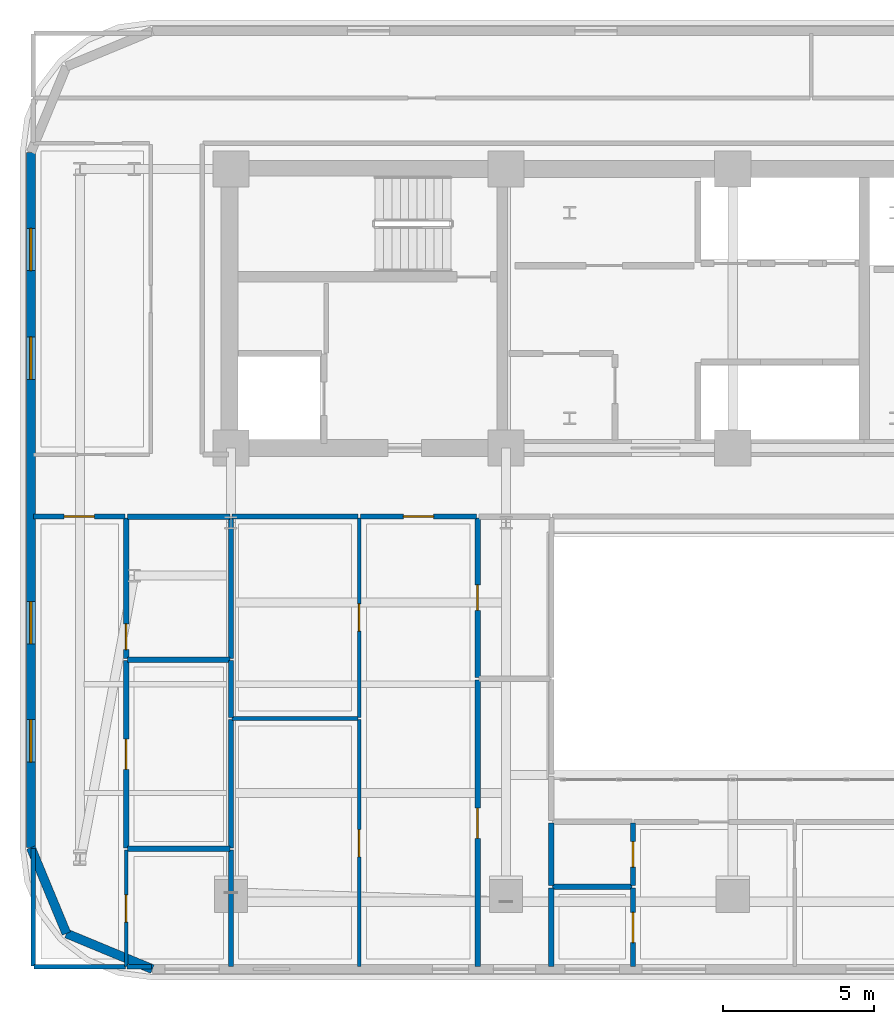
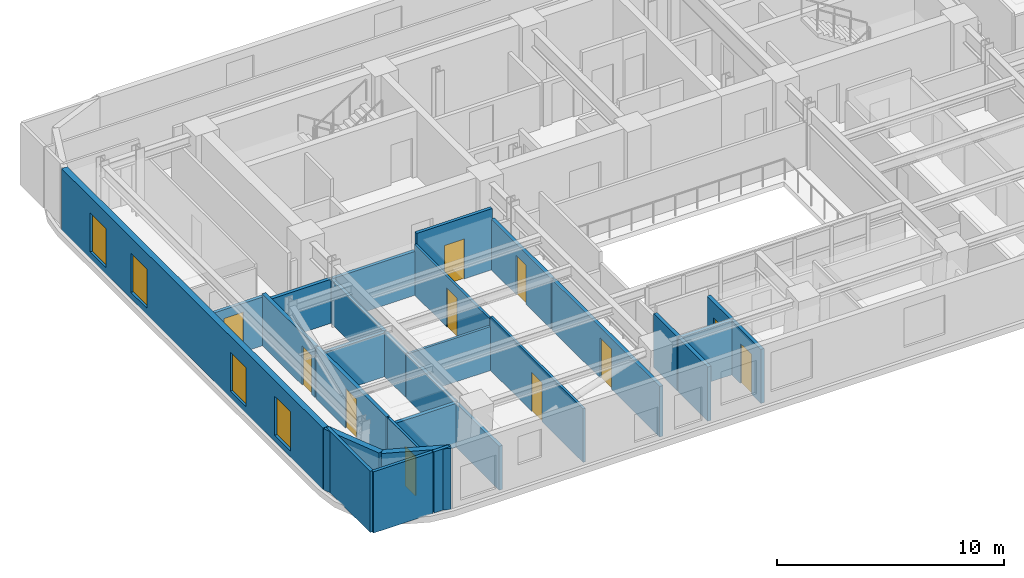
# One storey, part 5 of 12: 29 walls, 11 doors, 4 windows, 15 openings.
"""IFC4 building model written with IfcOpenShell, lengths in metres."""

from ifc_helpers import new_model, si_unit, direction, frame, frame_2d, origin, place, context, subcontext, project, spatial, rectangle, extrude, material, layer, layer_set, type_object, element, fill, save


model = new_model("IFC4")

# Units and contexts
model_context = context("Model", 3, precision=1e-05, world=origin(), true_north=direction((0.0, 1.0)))
body_context = subcontext(model_context, "Body", "Model", "MODEL_VIEW")
ifc_project = project(units=[si_unit("LENGTHUNIT", "METRE"), si_unit("AREAUNIT", "SQUARE_METRE"), si_unit("VOLUMEUNIT", "CUBIC_METRE"), si_unit("PLANEANGLEUNIT", "RADIAN"), si_unit("MASSUNIT", "GRAM", prefix="KILO")], contexts=[model_context])

# Site, building, storey
site_placement = place(None, origin())
site = spatial("IfcSite", under=ifc_project, at=site_placement, CompositionType="ELEMENT")
building_placement = place(site_placement, origin())
building = spatial("IfcBuilding", under=site, at=building_placement, Name="Zarnavel Station Tower", CompositionType="ELEMENT")
storey_placement = place(building_placement, frame((0.0, 0.0, 144.800048828125)))
storey = spatial("IfcBuildingStorey", under=building, at=storey_placement, Name="L39", CompositionType="ELEMENT", Elevation=144.800048828125)

# Wall, openings, windows
ifc_material_1 = material(Name="Precast concrete C45/55 (Dark Basalt Finish)", Category="masonry")
ifc_layer_1 = layer(ifc_material_1, 0.300048828125)
ifc_layer_set_1 = layer_set([ifc_layer_1], Name="EW_BASALT_300")
wall_type_1 = type_object("IfcWallType", Name="EW_BASALT_300", PredefinedType="SOLIDWALL", material=ifc_layer_set_1)
wall_1_placement = place(storey_placement, frame((5.580078125, 14.60009765625, 0.0), z_axis=(0.0, 0.0, 1.0), x_axis=(0.0, 1.0, 0.0)))
wall_1 = element("IfcWall", 1, at=wall_1_placement, inside=storey, type_object=wall_type_1, Name="L39 Exterior Basalt Masonry Frame Wall 09", PredefinedType="SOLIDWALL", context=body_context, shape_type="SweptSolid", body=[
    extrude(rectangle(XDim=23.0, YDim=0.300048828125, at=frame_2d((11.5, 0.0))), origin(), (0.0, 0.0, 1.0), 3.2900390625),
])
opening_1_placement = place(wall_1_placement, frame((15.493408203125, 0.0, 0.340087890625)))
opening_1 = element("IfcOpeningElement", 2, at=opening_1_placement, cuts=wall_1, Name="Opening WN04", PredefinedType="OPENING", context=body_context, shape_type="SweptSolid", body=[
    extrude(rectangle(XDim=1.39990234375, YDim=2.10009765625, at=frame_2d((0.699951171875, 1.050048828125))), frame((0.0, 0.159912109375, 0.0), z_axis=(0.0, -1.0, 0.0), x_axis=(1.0, 0.0, 0.0)), (0.0, 0.0, 1.0), 0.320068359375),
])
opening_2_placement = place(wall_1_placement, frame((19.086669921875, 0.0, 0.340087890625)))
opening_2 = element("IfcOpeningElement", 3, at=opening_2_placement, cuts=wall_1, Name="Opening WN04", PredefinedType="OPENING", context=body_context, shape_type="SweptSolid", body=[
    extrude(rectangle(XDim=1.39990234375, YDim=2.10009765625, at=frame_2d((0.699951171875, 1.050048828125))), frame((0.0, 0.159912109375, 0.0), z_axis=(0.0, -1.0, 0.0), x_axis=(1.0, 0.0, 0.0)), (0.0, 0.0, 1.0), 0.320068359375),
])
opening_3_placement = place(wall_1_placement, frame((2.830078125, 0.0, 0.340087890625)))
opening_3 = element("IfcOpeningElement", 4, at=opening_3_placement, cuts=wall_1, Name="Opening WN04", PredefinedType="OPENING", context=body_context, shape_type="SweptSolid", body=[
    extrude(rectangle(XDim=1.39990234375, YDim=2.10009765625, at=frame_2d((0.699951171875, 1.050048828125))), frame((0.0, 0.159912109375, 0.0), z_axis=(0.0, -1.0, 0.0), x_axis=(1.0, 0.0, 0.0)), (0.0, 0.0, 1.0), 0.320068359375),
])
opening_4_placement = place(wall_1_placement, frame((6.739990234375, 0.0, 0.340087890625)))
opening_4 = element("IfcOpeningElement", 5, at=opening_4_placement, cuts=wall_1, Name="Opening WN04", PredefinedType="OPENING", context=body_context, shape_type="SweptSolid", body=[
    extrude(rectangle(XDim=1.39990234375, YDim=2.10009765625, at=frame_2d((0.699951171875, 1.050048828125))), frame((0.0, 0.159912109375, 0.0), z_axis=(0.0, -1.0, 0.0), x_axis=(1.0, 0.0, 0.0)), (0.0, 0.0, 1.0), 0.320068359375),
])
ifc_material_2 = material(Name="Thermally Broken Black Aluminium and Low-E Dark Glass", Category="aluminium")
window_type = type_object("IfcWindowType", Name="WN_1400x2100", PartitioningType="DOUBLE_PANEL_VERTICAL", PredefinedType="WINDOW", material=ifc_material_2)
window_1_placement = place(opening_1_placement, origin())
window_1 = element("IfcWindow", 6, at=window_1_placement, inside=storey, type_object=window_type, Name="L39 Recessed Facade Window 01", OverallHeight=2.10009765625, OverallWidth=1.39990234375, PartitioningType="SINGLE_PANEL", PredefinedType="WINDOW", context=body_context, shape_type="SweptSolid", body=[
    extrude(rectangle(XDim=1.39990234375, YDim=2.10009765625, at=frame_2d((0.699951171875, 1.050048828125))), frame((0.0, 0.030029296875, 0.0), z_axis=(0.0, -1.0, 0.0), x_axis=(1.0, 0.0, 0.0)), (0.0, 0.0, 1.0), 0.06005859375),
])
fill(opening_1, window_1)
window_2_placement = place(opening_2_placement, origin())
window_2 = element("IfcWindow", 7, at=window_2_placement, inside=storey, type_object=window_type, Name="L39 Recessed Facade Window 02", OverallHeight=2.10009765625, OverallWidth=1.39990234375, PartitioningType="SINGLE_PANEL", PredefinedType="WINDOW", context=body_context, shape_type="SweptSolid", body=[
    extrude(rectangle(XDim=1.39990234375, YDim=2.10009765625, at=frame_2d((0.699951171875, 1.050048828125))), frame((0.0, 0.030029296875, 0.0), z_axis=(0.0, -1.0, 0.0), x_axis=(1.0, 0.0, 0.0)), (0.0, 0.0, 1.0), 0.06005859375),
])
fill(opening_2, window_2)
window_3_placement = place(opening_3_placement, origin())
window_3 = element("IfcWindow", 8, at=window_3_placement, inside=storey, type_object=window_type, Name="L39 Recessed Facade Window 03", OverallHeight=2.10009765625, OverallWidth=1.39990234375, PartitioningType="SINGLE_PANEL", PredefinedType="WINDOW", context=body_context, shape_type="SweptSolid", body=[
    extrude(rectangle(XDim=1.39990234375, YDim=2.10009765625, at=frame_2d((0.699951171875, 1.050048828125))), frame((0.0, 0.030029296875, 0.0), z_axis=(0.0, -1.0, 0.0), x_axis=(1.0, 0.0, 0.0)), (0.0, 0.0, 1.0), 0.06005859375),
])
fill(opening_3, window_3)
window_4_placement = place(opening_4_placement, origin())
window_4 = element("IfcWindow", 9, at=window_4_placement, inside=storey, type_object=window_type, Name="L39 Recessed Facade Window 04", OverallHeight=2.10009765625, OverallWidth=1.39990234375, PartitioningType="SINGLE_PANEL", PredefinedType="WINDOW", context=body_context, shape_type="SweptSolid", body=[
    extrude(rectangle(XDim=1.39990234375, YDim=2.10009765625, at=frame_2d((0.699951171875, 1.050048828125))), frame((0.0, 0.030029296875, 0.0), z_axis=(0.0, -1.0, 0.0), x_axis=(1.0, 0.0, 0.0)), (0.0, 0.0, 1.0), 0.06005859375),
])
fill(opening_4, window_4)

# Walls
for number, where, z_axis, x_axis, name in (
    (10, (6.75732421875, 11.75732421875, 0.0), (0.0, 0.0, 1.0), (-0.382608747773, 0.923910464346, 0.0), "L39 Exterior Basalt Masonry Frame Wall 10"),
    (11, (9.60009765625, 10.580078125, 0.0), (0.0, 0.0, 1.0), (-0.923910464346, 0.382608747773, 0.0), "L39 Exterior Basalt Masonry Frame Wall 11"),
):
    element("IfcWall", number, at=place(storey_placement, frame(where, z_axis=z_axis, x_axis=x_axis)), inside=storey, type_object=wall_type_1, Name=name, PredefinedType="SOLIDWALL", context=body_context, shape_type="SweptSolid", body=[
        extrude(rectangle(XDim=3.076904296875, YDim=0.300048828125, at=frame_2d((1.53857421875, 0.0))), origin(), (0.0, 0.0, 1.0), 3.2900390625),
    ])

# Wall, opening, door
ifc_material_3 = material(Name="Gypsum Twin-Stud Acoustic Fire Partition", Category="concrete")
ifc_layer_2 = layer(ifc_material_3, 0.159912109375)
ifc_layer_set_2 = layer_set([ifc_layer_2], Name="PT_DEMISE_160")
wall_type_2 = type_object("IfcWallType", Name="PT_DEMISE_160", PredefinedType="PARTITIONING", material=ifc_layer_set_2)
wall_2_placement = place(storey_placement, frame((5.659912109375, 25.550048828125, 0.0), z_axis=(0.0, 0.0, 1.0), x_axis=(1.0, 0.0, 0.0)))
wall_2 = element("IfcWall", 12, at=wall_2_placement, inside=storey, type_object=wall_type_2, Name="L39 Partition COR-S-UW1LV", PredefinedType="PARTITIONING", context=body_context, shape_type="SweptSolid", body=[
    extrude(rectangle(XDim=3.0341796875, YDim=0.159912109375, at=frame_2d((1.51708984375, 0.0))), origin(), (0.0, 0.0, 1.0), 2.619873046875),
])
opening_5_placement = place(wall_2_placement, frame((1.01708984375, 0.0, 0.0)))
opening_5 = element("IfcOpeningElement", 13, at=opening_5_placement, cuts=wall_2, Name="Opening FD02", PredefinedType="OPENING", context=body_context, shape_type="SweptSolid", body=[
    extrude(rectangle(XDim=1.0, YDim=2.14990234375, at=frame_2d((0.5, 1.074951171875))), frame((0.0, 0.08984375, 0.0), z_axis=(0.0, -1.0, 0.0), x_axis=(1.0, 0.0, 0.0)), (0.0, 0.0, 1.0), 0.179931640625),
])
ifc_material_4 = material(Name="Painted Galvanised Steel and Hardwood Leaf", Category="steel")
door_type_1 = type_object("IfcDoorType", Name="ID_ENTRY_1000", OperationType="NOTDEFINED", PredefinedType="DOOR", material=ifc_material_4)
door_1_placement = place(opening_5_placement, origin())
door_1 = element("IfcDoor", 14, at=door_1_placement, inside=storey, type_object=door_type_1, Name="L39 Door COR-S-UW1LV", OperationType="SINGLE_SWING_LEFT", OverallHeight=2.14990234375, OverallWidth=1.0, PredefinedType="DOOR", context=body_context, shape_type="SweptSolid", body=[
    extrude(rectangle(XDim=1.0, YDim=2.14990234375, at=frame_2d((0.5, 1.074951171875))), frame((0.0, 0.02490234375, 0.0), z_axis=(0.0, -1.0, 0.0), x_axis=(1.0, 0.0, 0.0)), (0.0, 0.0, 1.0), 0.050048828125),
])
fill(opening_5, door_1)

wall_3_placement = place(storey_placement, frame((16.47998046875, 25.550048828125, 0.0), z_axis=(0.0, 0.0, 1.0), x_axis=(1.0, 0.0, 0.0)))
wall_3 = element("IfcWall", 15, at=wall_3_placement, inside=storey, type_object=wall_type_2, Name="L39 Partition COR-S-UW2LV", PredefinedType="PARTITIONING", context=body_context, shape_type="SweptSolid", body=[
    extrude(rectangle(XDim=3.842041015625, YDim=0.159912109375, at=frame_2d((1.9208984375, 0.0))), origin(), (0.0, 0.0, 1.0), 3.2900390625),
])
opening_6_placement = place(wall_3_placement, frame((1.4208984375, 0.0, 0.0)))
opening_6 = element("IfcOpeningElement", 16, at=opening_6_placement, cuts=wall_3, Name="Opening FD02", PredefinedType="OPENING", context=body_context, shape_type="SweptSolid", body=[
    extrude(rectangle(XDim=1.0, YDim=2.14990234375, at=frame_2d((0.5, 1.074951171875))), frame((0.0, 0.08984375, 0.0), z_axis=(0.0, -1.0, 0.0), x_axis=(1.0, 0.0, 0.0)), (0.0, 0.0, 1.0), 0.179931640625),
])
door_2_placement = place(opening_6_placement, origin())
door_2 = element("IfcDoor", 17, at=door_2_placement, inside=storey, type_object=door_type_1, Name="L39 Door COR-S-UW2LV", OperationType="SINGLE_SWING_RIGHT", OverallHeight=2.14990234375, OverallWidth=1.0, PredefinedType="DOOR", context=body_context, shape_type="SweptSolid", body=[
    extrude(rectangle(XDim=1.0, YDim=2.14990234375, at=frame_2d((0.5, 1.074951171875))), frame((0.0, 0.02490234375, 0.0), z_axis=(0.0, -1.0, 0.0), x_axis=(1.0, 0.0, 0.0)), (0.0, 0.0, 1.0), 0.050048828125),
])
fill(opening_6, door_2)

# Walls
wall_4_placement = place(storey_placement, frame((12.239990234375, 25.550048828125, 0.0), z_axis=(0.0, 0.0, 1.0), x_axis=(1.0, 0.0, 0.0)))
element("IfcWall", 18, at=wall_4_placement, inside=storey, type_object=wall_type_2, Name="L39 Partition COR-S-UW2B2", PredefinedType="PARTITIONING", context=body_context, shape_type="SweptSolid", body=[
    extrude(rectangle(XDim=4.159912109375, YDim=0.159912109375, at=frame_2d((2.080078125, 0.0))), origin(), (0.0, 0.0, 1.0), 2.35986328125),
])
wall_5_placement = place(storey_placement, frame((12.199951171875, 10.659912109375, 0.0), z_axis=(0.0, 0.0, 1.0), x_axis=(0.0, 1.0, 0.0)))
element("IfcWall", 19, at=wall_5_placement, inside=storey, type_object=wall_type_2, Name="L39 Partition UW1B1-UW2B1", PredefinedType="PARTITIONING", context=body_context, shape_type="SweptSolid", body=[
    extrude(rectangle(XDim=3.85498046875, YDim=0.159912109375, at=frame_2d((1.927490234375, 0.0))), origin(), (0.0, 0.0, 1.0), 2.35986328125),
])
wall_6_placement = place(storey_placement, frame((5.68994140625, 10.659912109375, 0.0), z_axis=(0.0, 0.0, 1.0), x_axis=(1.0, 0.0, 0.0)))
element("IfcWall", 20, at=wall_6_placement, inside=storey, type_object=wall_type_2, Name="L39 Enclosure Wall UW1LV", PredefinedType="PARTITIONING", context=body_context, shape_type="SweptSolid", body=[
    extrude(rectangle(XDim=3.01416015625, YDim=0.159912109375, at=frame_2d((1.507080078125, 0.0))), origin(), (0.0, 0.0, 1.0), 3.2900390625),
])
wall_7_placement = place(storey_placement, frame((5.659912109375, 10.68994140625, 0.0), z_axis=(0.0, 0.0, 1.0), x_axis=(0.0, 1.0, 0.0)))
element("IfcWall", 21, at=wall_7_placement, inside=storey, type_object=wall_type_2, Name="L39 Enclosure Wall UW1LV", PredefinedType="PARTITIONING", context=body_context, shape_type="SweptSolid", body=[
    extrude(rectangle(XDim=3.880126953125, YDim=0.159912109375, at=frame_2d((1.93994140625, 0.0))), origin(), (0.0, 0.0, 1.0), 3.2900390625),
])
wall_8_placement = place(storey_placement, frame((8.763916015625, 10.659912109375, 0.0), z_axis=(0.0, 0.0, 1.0), x_axis=(1.0, 0.0, 0.0)))
element("IfcWall", 22, at=wall_8_placement, inside=storey, type_object=wall_type_2, Name="L39 Enclosure Wall UW1B1", PredefinedType="PARTITIONING", context=body_context, shape_type="SweptSolid", body=[
    extrude(rectangle(XDim=0.80615234375, YDim=0.159912109375, at=frame_2d((0.403076171875, 0.0))), origin(), (0.0, 0.0, 1.0), 3.2900390625),
])

# Wall, opening, door
ifc_material_5 = material(Name="Gypsum Metal-Stud Interior Partition", Category="concrete")
ifc_layer_3 = layer(ifc_material_5, 0.1201171875)
ifc_layer_set_3 = layer_set([ifc_layer_3], Name="PT_ROOM_120")
wall_type_3 = type_object("IfcWallType", Name="PT_ROOM_120", PredefinedType="PARTITIONING", material=ifc_layer_set_3)
wall_9_placement = place(storey_placement, frame((8.73388671875, 10.659912109375, 0.0), z_axis=(0.0, 0.0, 1.0), x_axis=(0.0, 1.0, 0.0)))
wall_9 = element("IfcWall", 23, at=wall_9_placement, inside=storey, type_object=wall_type_3, Name="L39 Partition UW1LV-UW1B1", PredefinedType="PARTITIONING", context=body_context, shape_type="SweptSolid", body=[
    extrude(rectangle(XDim=3.85498046875, YDim=0.1201171875, at=frame_2d((1.927490234375, 0.0))), origin(), (0.0, 0.0, 1.0), 2.77001953125),
])
opening_7_placement = place(wall_9_placement, frame((1.4775390625, 0.0, 0.0)))
opening_7 = element("IfcOpeningElement", 24, at=opening_7_placement, cuts=wall_9, Name="Opening ID01", PredefinedType="OPENING", context=body_context, shape_type="SweptSolid", body=[
    extrude(rectangle(XDim=0.89990234375, YDim=2.10009765625, at=frame_2d((0.449951171875, 1.050048828125))), frame((0.0, 0.070068359375, 0.0), z_axis=(0.0, -1.0, 0.0), x_axis=(1.0, 0.0, 0.0)), (0.0, 0.0, 1.0), 0.14013671875),
])
ifc_material_6 = material(Name="Painted Galvanised Steel and Hardwood Leaf", Category="steel")
door_type_2 = type_object("IfcDoorType", Name="ID_ROOM_900", OperationType="NOTDEFINED", PredefinedType="DOOR", material=ifc_material_6)
door_3_placement = place(opening_7_placement, origin())
door_3 = element("IfcDoor", 25, at=door_3_placement, inside=storey, type_object=door_type_2, Name="L39 Door UW1LV-UW1B1", OperationType="SINGLE_SWING_LEFT", OverallHeight=2.10009765625, OverallWidth=0.89990234375, PredefinedType="DOOR", context=body_context, shape_type="SweptSolid", body=[
    extrude(rectangle(XDim=0.89990234375, YDim=2.10009765625, at=frame_2d((0.449951171875, 1.050048828125))), frame((0.0, 0.02490234375, 0.0), z_axis=(0.0, -1.0, 0.0), x_axis=(1.0, 0.0, 0.0)), (0.0, 0.0, 1.0), 0.050048828125),
])
fill(opening_7, door_3)

wall_10_placement = place(storey_placement, frame((16.43994140625, 10.659912109375, 0.0), z_axis=(0.0, 0.0, 1.0), x_axis=(0.0, 1.0, 0.0)))
wall_10 = element("IfcWall", 26, at=wall_10_placement, inside=storey, type_object=wall_type_3, Name="L39 Partition UW2LV-UW2B1", PredefinedType="PARTITIONING", context=body_context, shape_type="SweptSolid", body=[
    extrude(rectangle(XDim=8.170166015625, YDim=0.1201171875, at=frame_2d((4.0849609375, 0.0))), origin(), (0.0, 0.0, 1.0), 2.8798828125),
])
opening_8_placement = place(wall_10_placement, frame((3.635009765625, 0.0, 0.0)))
opening_8 = element("IfcOpeningElement", 27, at=opening_8_placement, cuts=wall_10, Name="Opening ID01", PredefinedType="OPENING", context=body_context, shape_type="SweptSolid", body=[
    extrude(rectangle(XDim=0.89990234375, YDim=2.10009765625, at=frame_2d((0.449951171875, 1.050048828125))), frame((0.0, 0.070068359375, 0.0), z_axis=(0.0, -1.0, 0.0), x_axis=(1.0, 0.0, 0.0)), (0.0, 0.0, 1.0), 0.14013671875),
])
door_4_placement = place(opening_8_placement, origin())
door_4 = element("IfcDoor", 28, at=door_4_placement, inside=storey, type_object=door_type_2, Name="L39 Door UW2LV-UW2B1", OperationType="SINGLE_SWING_RIGHT", OverallHeight=2.10009765625, OverallWidth=0.89990234375, PredefinedType="DOOR", context=body_context, shape_type="SweptSolid", body=[
    extrude(rectangle(XDim=0.89990234375, YDim=2.10009765625, at=frame_2d((0.449951171875, 1.050048828125))), frame((0.0, 0.02490234375, 0.0), z_axis=(0.0, -1.0, 0.0), x_axis=(1.0, 0.0, 0.0)), (0.0, 0.0, 1.0), 0.050048828125),
])
fill(opening_8, door_4)

wall_11_placement = place(storey_placement, frame((16.43994140625, 18.909912109375, 0.0), z_axis=(0.0, 0.0, 1.0), x_axis=(0.0, 1.0, 0.0)))
wall_11 = element("IfcWall", 29, at=wall_11_placement, inside=storey, type_object=wall_type_3, Name="L39 Partition UW2LV-UW2B2", PredefinedType="PARTITIONING", context=body_context, shape_type="SweptSolid", body=[
    extrude(rectangle(XDim=6.60009765625, YDim=0.1201171875, at=frame_2d((3.300048828125, 0.0))), origin(), (0.0, 0.0, 1.0), 2.719970703125),
])
opening_9_placement = place(wall_11_placement, frame((2.85009765625, 0.0, 0.0)))
opening_9 = element("IfcOpeningElement", 30, at=opening_9_placement, cuts=wall_11, Name="Opening ID01", PredefinedType="OPENING", context=body_context, shape_type="SweptSolid", body=[
    extrude(rectangle(XDim=0.89990234375, YDim=2.10009765625, at=frame_2d((0.449951171875, 1.050048828125))), frame((0.0, 0.070068359375, 0.0), z_axis=(0.0, -1.0, 0.0), x_axis=(1.0, 0.0, 0.0)), (0.0, 0.0, 1.0), 0.14013671875),
])
door_5_placement = place(opening_9_placement, origin())
door_5 = element("IfcDoor", 31, at=door_5_placement, inside=storey, type_object=door_type_2, Name="L39 Door UW2LV-UW2B2", OperationType="SINGLE_SWING_LEFT", OverallHeight=2.10009765625, OverallWidth=0.89990234375, PredefinedType="DOOR", context=body_context, shape_type="SweptSolid", body=[
    extrude(rectangle(XDim=0.89990234375, YDim=2.10009765625, at=frame_2d((0.449951171875, 1.050048828125))), frame((0.0, 0.02490234375, 0.0), z_axis=(0.0, -1.0, 0.0), x_axis=(1.0, 0.0, 0.0)), (0.0, 0.0, 1.0), 0.050048828125),
])
fill(opening_9, door_5)

# Walls
wall_12_placement = place(storey_placement, frame((12.239990234375, 18.8701171875, 0.0), z_axis=(0.0, 0.0, 1.0), x_axis=(1.0, 0.0, 0.0)))
element("IfcWall", 32, at=wall_12_placement, inside=storey, type_object=wall_type_3, Name="L39 Partition UW2B1-UW2B2", PredefinedType="PARTITIONING", context=body_context, shape_type="SweptSolid", body=[
    extrude(rectangle(XDim=4.159912109375, YDim=0.1201171875, at=frame_2d((2.080078125, 0.0))), origin(), (0.0, 0.0, 1.0), 2.35986328125),
])
ifc_material_7 = material(Name="Moisture-Resistant Plumbing Chase Wall", Category="concrete")
ifc_layer_4 = layer(ifc_material_7, 0.179931640625)
ifc_layer_set_4 = layer_set([ifc_layer_4], Name="PW_PLUMB_180")
wall_type_4 = type_object("IfcWallType", Name="PW_PLUMB_180", PredefinedType="PLUMBINGWALL", material=ifc_layer_set_4)
wall_13_placement = place(storey_placement, frame((8.77392578125, 25.550048828125, 0.0), z_axis=(0.0, 0.0, 1.0), x_axis=(1.0, 0.0, 0.0)))
element("IfcWall", 33, at=wall_13_placement, inside=storey, type_object=wall_type_4, Name="L39 Partition COR-S-UW1BA", PredefinedType="PLUMBINGWALL", context=body_context, shape_type="SweptSolid", body=[
    extrude(rectangle(XDim=3.385986328125, YDim=0.179931640625, at=frame_2d((1.69287109375, 0.0))), origin(), (0.0, 0.0, 1.0), 2.35986328125),
])

# Wall, opening, door
wall_14_placement = place(storey_placement, frame((8.73388671875, 14.594970703125, 0.0), z_axis=(0.0, 0.0, 1.0), x_axis=(0.0, 1.0, 0.0)))
wall_14 = element("IfcWall", 34, at=wall_14_placement, inside=storey, type_object=wall_type_4, Name="L39 Partition UW1LV-UW1KT", PredefinedType="PLUMBINGWALL", context=body_context, shape_type="SweptSolid", body=[
    extrude(rectangle(XDim=6.18701171875, YDim=0.179931640625, at=frame_2d((3.093505859375, 0.0))), origin(), (0.0, 0.0, 1.0), 2.77001953125),
])
opening_10_placement = place(wall_14_placement, frame((2.593505859375, 0.0, 0.0)))
opening_10 = element("IfcOpeningElement", 35, at=opening_10_placement, cuts=wall_14, Name="Opening FD02", PredefinedType="OPENING", context=body_context, shape_type="SweptSolid", body=[
    extrude(rectangle(XDim=1.0, YDim=2.14990234375, at=frame_2d((0.5, 1.074951171875))), frame((0.0, 0.099853515625, 0.0), z_axis=(0.0, -1.0, 0.0), x_axis=(1.0, 0.0, 0.0)), (0.0, 0.0, 1.0), 0.199951171875),
])
door_6_placement = place(opening_10_placement, origin())
door_6 = element("IfcDoor", 36, at=door_6_placement, inside=storey, type_object=door_type_1, Name="L39 Door UW1LV-UW1KT", OperationType="SINGLE_SWING_RIGHT", OverallHeight=2.14990234375, OverallWidth=1.0, PredefinedType="DOOR", context=body_context, shape_type="SweptSolid", body=[
    extrude(rectangle(XDim=1.0, YDim=2.14990234375, at=frame_2d((0.5, 1.074951171875))), frame((0.0, 0.02490234375, 0.0), z_axis=(0.0, -1.0, 0.0), x_axis=(1.0, 0.0, 0.0)), (0.0, 0.0, 1.0), 0.050048828125),
])
fill(opening_10, door_6)

wall_15_placement = place(storey_placement, frame((8.73388671875, 20.862060546875, 0.0), z_axis=(0.0, 0.0, 1.0), x_axis=(0.0, 1.0, 0.0)))
wall_15 = element("IfcWall", 37, at=wall_15_placement, inside=storey, type_object=wall_type_4, Name="L39 Partition UW1LV-UW1BA", PredefinedType="PLUMBINGWALL", context=body_context, shape_type="SweptSolid", body=[
    extrude(rectangle(XDim=4.64794921875, YDim=0.179931640625, at=frame_2d((2.323974609375, 0.0))), origin(), (0.0, 0.0, 1.0), 2.77001953125),
])
opening_11_placement = place(wall_15_placement, frame((0.28662109375, 0.0, 0.0)))
opening_11 = element("IfcOpeningElement", 38, at=opening_11_placement, cuts=wall_15, Name="Opening ID02", PredefinedType="OPENING", context=body_context, shape_type="SweptSolid", body=[
    extrude(rectangle(XDim=0.85009765625, YDim=2.10009765625, at=frame_2d((0.425048828125, 1.050048828125))), frame((0.0, 0.099853515625, 0.0), z_axis=(0.0, -1.0, 0.0), x_axis=(1.0, 0.0, 0.0)), (0.0, 0.0, 1.0), 0.199951171875),
])
ifc_material_8 = material(Name="Painted Galvanised Steel and Hardwood Leaf", Category="steel")
door_type_3 = type_object("IfcDoorType", Name="ID_BATH_850", OperationType="NOTDEFINED", PredefinedType="DOOR", material=ifc_material_8)
door_7_placement = place(opening_11_placement, origin())
door_7 = element("IfcDoor", 39, at=door_7_placement, inside=storey, type_object=door_type_3, Name="L39 Door UW1LV-UW1BA", OperationType="SINGLE_SWING_LEFT", OverallHeight=2.10009765625, OverallWidth=0.85009765625, PredefinedType="DOOR", context=body_context, shape_type="SweptSolid", body=[
    extrude(rectangle(XDim=0.85009765625, YDim=2.10009765625, at=frame_2d((0.425048828125, 1.050048828125))), frame((0.0, 0.02490234375, 0.0), z_axis=(0.0, -1.0, 0.0), x_axis=(1.0, 0.0, 0.0)), (0.0, 0.0, 1.0), 0.050048828125),
])
fill(opening_11, door_7)

# Walls
for number, where, z_axis, x_axis, name in (
    (40, (8.77392578125, 14.554931640625, 0.0), (0.0, 0.0, 1.0), (1.0, 0.0, 0.0), "L39 Partition UW1B1-UW1KT"),
    (41, (8.77392578125, 20.822021484375, 0.0), (0.0, 0.0, 1.0), (1.0, 0.0, 0.0), "L39 Partition UW1KT-UW1BA"),
):
    element("IfcWall", number, at=place(storey_placement, frame(where, z_axis=z_axis, x_axis=x_axis)), inside=storey, type_object=wall_type_4, Name=name, PredefinedType="PLUMBINGWALL", context=body_context, shape_type="SweptSolid", body=[
        extrude(rectangle(XDim=3.385986328125, YDim=0.179931640625, at=frame_2d((1.69287109375, 0.0))), origin(), (0.0, 0.0, 1.0), 2.35986328125),
    ])
wall_16_placement = place(storey_placement, frame((12.199951171875, 14.594970703125, 0.0), z_axis=(0.0, 0.0, 1.0), x_axis=(0.0, 1.0, 0.0)))
element("IfcWall", 42, at=wall_16_placement, inside=storey, type_object=wall_type_4, Name="L39 Partition UW1KT-UW2B1", PredefinedType="PLUMBINGWALL", context=body_context, shape_type="SweptSolid", body=[
    extrude(rectangle(XDim=4.235107421875, YDim=0.179931640625, at=frame_2d((2.11767578125, 0.0))), origin(), (0.0, 0.0, 1.0), 2.35986328125),
])
wall_17_placement = place(storey_placement, frame((12.199951171875, 18.909912109375, 0.0), z_axis=(0.0, 0.0, 1.0), x_axis=(0.0, 1.0, 0.0)))
element("IfcWall", 43, at=wall_17_placement, inside=storey, type_object=wall_type_4, Name="L39 Partition UW1KT-UW2B2", PredefinedType="PLUMBINGWALL", context=body_context, shape_type="SweptSolid", body=[
    extrude(rectangle(XDim=1.8720703125, YDim=0.179931640625, at=frame_2d((0.93603515625, 0.0))), origin(), (0.0, 0.0, 1.0), 2.35986328125),
])
wall_18_placement = place(storey_placement, frame((12.199951171875, 20.862060546875, 0.0), z_axis=(0.0, 0.0, 1.0), x_axis=(0.0, 1.0, 0.0)))
element("IfcWall", 44, at=wall_18_placement, inside=storey, type_object=wall_type_4, Name="L39 Partition UW1BA-UW2B2", PredefinedType="PLUMBINGWALL", context=body_context, shape_type="SweptSolid", body=[
    extrude(rectangle(XDim=4.64794921875, YDim=0.179931640625, at=frame_2d((2.323974609375, 0.0))), origin(), (0.0, 0.0, 1.0), 2.35986328125),
])

# Wall, opening, door
wall_19_placement = place(storey_placement, frame((20.362060546875, 10.659912109375, 0.0), z_axis=(0.0, 0.0, 1.0), x_axis=(0.0, 1.0, 0.0)))
wall_19 = element("IfcWall", 45, at=wall_19_placement, inside=storey, type_object=wall_type_4, Name="L39 Partition UW2LV-UW2KT", PredefinedType="PLUMBINGWALL", context=body_context, shape_type="SweptSolid", body=[
    extrude(rectangle(XDim=9.489990234375, YDim=0.179931640625, at=frame_2d((4.7451171875, 0.0))), origin(), (0.0, 0.0, 1.0), 2.719970703125),
])
opening_12_placement = place(wall_19_placement, frame((4.2451171875, 0.0, 0.0)))
opening_12 = element("IfcOpeningElement", 46, at=opening_12_placement, cuts=wall_19, Name="Opening FD02", PredefinedType="OPENING", context=body_context, shape_type="SweptSolid", body=[
    extrude(rectangle(XDim=1.0, YDim=2.14990234375, at=frame_2d((0.5, 1.074951171875))), frame((0.0, 0.099853515625, 0.0), z_axis=(0.0, -1.0, 0.0), x_axis=(1.0, 0.0, 0.0)), (0.0, 0.0, 1.0), 0.199951171875),
])
door_8_placement = place(opening_12_placement, origin())
door_8 = element("IfcDoor", 47, at=door_8_placement, inside=storey, type_object=door_type_1, Name="L39 Door UW2LV-UW2KT", OperationType="SINGLE_SWING_RIGHT", OverallHeight=2.14990234375, OverallWidth=1.0, PredefinedType="DOOR", context=body_context, shape_type="SweptSolid", body=[
    extrude(rectangle(XDim=1.0, YDim=2.14990234375, at=frame_2d((0.5, 1.074951171875))), frame((0.0, 0.02490234375, 0.0), z_axis=(0.0, -1.0, 0.0), x_axis=(1.0, 0.0, 0.0)), (0.0, 0.0, 1.0), 0.050048828125),
])
fill(opening_12, door_8)

wall_20_placement = place(storey_placement, frame((20.362060546875, 20.22998046875, 0.0), z_axis=(0.0, 0.0, 1.0), x_axis=(0.0, 1.0, 0.0)))
wall_20 = element("IfcWall", 48, at=wall_20_placement, inside=storey, type_object=wall_type_4, Name="L39 Partition UW2LV-UW2BA", PredefinedType="PLUMBINGWALL", context=body_context, shape_type="SweptSolid", body=[
    extrude(rectangle(XDim=5.280029296875, YDim=0.179931640625, at=frame_2d((2.64013671875, 0.0))), origin(), (0.0, 0.0, 1.0), 2.719970703125),
])
opening_13_placement = place(wall_20_placement, frame((2.215087890625, 0.0, 0.0)))
opening_13 = element("IfcOpeningElement", 49, at=opening_13_placement, cuts=wall_20, Name="Opening ID02", PredefinedType="OPENING", context=body_context, shape_type="SweptSolid", body=[
    extrude(rectangle(XDim=0.85009765625, YDim=2.10009765625, at=frame_2d((0.425048828125, 1.050048828125))), frame((0.0, 0.099853515625, 0.0), z_axis=(0.0, -1.0, 0.0), x_axis=(1.0, 0.0, 0.0)), (0.0, 0.0, 1.0), 0.199951171875),
])
door_9_placement = place(opening_13_placement, origin())
door_9 = element("IfcDoor", 50, at=door_9_placement, inside=storey, type_object=door_type_3, Name="L39 Door UW2LV-UW2BA", OperationType="SINGLE_SWING_LEFT", OverallHeight=2.10009765625, OverallWidth=0.85009765625, PredefinedType="DOOR", context=body_context, shape_type="SweptSolid", body=[
    extrude(rectangle(XDim=0.85009765625, YDim=2.10009765625, at=frame_2d((0.425048828125, 1.050048828125))), frame((0.0, 0.02490234375, 0.0), z_axis=(0.0, -1.0, 0.0), x_axis=(1.0, 0.0, 0.0)), (0.0, 0.0, 1.0), 0.050048828125),
])
fill(opening_13, door_9)

# Walls
wall_21_placement = place(storey_placement, frame((22.800048828125, 10.659912109375, 0.0), z_axis=(0.0, 0.0, 1.0), x_axis=(0.0, 1.0, 0.0)))
element("IfcWall", 51, at=wall_21_placement, inside=storey, type_object=wall_type_4, Name="L39 Partition UW2KT-US1KT", PredefinedType="PLUMBINGWALL", context=body_context, shape_type="SweptSolid", body=[
    extrude(rectangle(XDim=2.60009765625, YDim=0.179931640625, at=frame_2d((1.300048828125, 0.0))), origin(), (0.0, 0.0, 1.0), 2.909912109375),
])
wall_22_placement = place(storey_placement, frame((22.800048828125, 13.340087890625, 0.0), z_axis=(0.0, 0.0, 1.0), x_axis=(0.0, 1.0, 0.0)))
element("IfcWall", 52, at=wall_22_placement, inside=storey, type_object=wall_type_4, Name="L39 Partition UW2KT-US1BA", PredefinedType="PLUMBINGWALL", context=body_context, shape_type="SweptSolid", body=[
    extrude(rectangle(XDim=2.06982421875, YDim=0.179931640625, at=frame_2d((1.034912109375, 0.0))), origin(), (0.0, 0.0, 1.0), 2.909912109375),
])

# Wall, opening, door
wall_23_placement = place(storey_placement, frame((25.5, 10.659912109375, 0.0), z_axis=(0.0, 0.0, 1.0), x_axis=(0.0, 1.0, 0.0)))
wall_23 = element("IfcWall", 53, at=wall_23_placement, inside=storey, type_object=wall_type_4, Name="L39 Partition US1LV-US1KT", PredefinedType="PLUMBINGWALL", context=body_context, shape_type="SweptSolid", body=[
    extrude(rectangle(XDim=2.60009765625, YDim=0.179931640625, at=frame_2d((1.300048828125, 0.0))), origin(), (0.0, 0.0, 1.0), 2.909912109375),
])
opening_14_placement = place(wall_23_placement, frame((0.800048828125, 0.0, 0.0)))
opening_14 = element("IfcOpeningElement", 54, at=opening_14_placement, cuts=wall_23, Name="Opening FD02", PredefinedType="OPENING", context=body_context, shape_type="SweptSolid", body=[
    extrude(rectangle(XDim=1.0, YDim=2.14990234375, at=frame_2d((0.5, 1.074951171875))), frame((0.0, 0.099853515625, 0.0), z_axis=(0.0, -1.0, 0.0), x_axis=(1.0, 0.0, 0.0)), (0.0, 0.0, 1.0), 0.199951171875),
])
door_10_placement = place(opening_14_placement, origin())
door_10 = element("IfcDoor", 55, at=door_10_placement, inside=storey, type_object=door_type_1, Name="L39 Door US1LV-US1KT", OperationType="SINGLE_SWING_RIGHT", OverallHeight=2.14990234375, OverallWidth=1.0, PredefinedType="DOOR", context=body_context, shape_type="SweptSolid", body=[
    extrude(rectangle(XDim=1.0, YDim=2.14990234375, at=frame_2d((0.5, 1.074951171875))), frame((0.0, 0.02490234375, 0.0), z_axis=(0.0, -1.0, 0.0), x_axis=(1.0, 0.0, 0.0)), (0.0, 0.0, 1.0), 0.050048828125),
])
fill(opening_14, door_10)

wall_24_placement = place(storey_placement, frame((25.5, 13.340087890625, 0.0), z_axis=(0.0, 0.0, 1.0), x_axis=(0.0, 1.0, 0.0)))
wall_24 = element("IfcWall", 56, at=wall_24_placement, inside=storey, type_object=wall_type_4, Name="L39 Partition US1LV-US1BA", PredefinedType="PLUMBINGWALL", context=body_context, shape_type="SweptSolid", body=[
    extrude(rectangle(XDim=2.06982421875, YDim=0.179931640625, at=frame_2d((1.034912109375, 0.0))), origin(), (0.0, 0.0, 1.0), 2.909912109375),
])
opening_15_placement = place(wall_24_placement, frame((0.610107421875, 0.0, 0.0)))
opening_15 = element("IfcOpeningElement", 57, at=opening_15_placement, cuts=wall_24, Name="Opening ID02", PredefinedType="OPENING", context=body_context, shape_type="SweptSolid", body=[
    extrude(rectangle(XDim=0.85009765625, YDim=2.10009765625, at=frame_2d((0.425048828125, 1.050048828125))), frame((0.0, 0.099853515625, 0.0), z_axis=(0.0, -1.0, 0.0), x_axis=(1.0, 0.0, 0.0)), (0.0, 0.0, 1.0), 0.199951171875),
])
door_11_placement = place(opening_15_placement, origin())
door_11 = element("IfcDoor", 58, at=door_11_placement, inside=storey, type_object=door_type_3, Name="L39 Door US1LV-US1BA", OperationType="SINGLE_SWING_LEFT", OverallHeight=2.10009765625, OverallWidth=0.85009765625, PredefinedType="DOOR", context=body_context, shape_type="SweptSolid", body=[
    extrude(rectangle(XDim=0.85009765625, YDim=2.10009765625, at=frame_2d((0.425048828125, 1.050048828125))), frame((0.0, 0.02490234375, 0.0), z_axis=(0.0, -1.0, 0.0), x_axis=(1.0, 0.0, 0.0)), (0.0, 0.0, 1.0), 0.050048828125),
])
fill(opening_15, door_11)

# Wall
wall_25_placement = place(storey_placement, frame((22.840087890625, 13.300048828125, 0.0), z_axis=(0.0, 0.0, 1.0), x_axis=(1.0, 0.0, 0.0)))
element("IfcWall", 59, at=wall_25_placement, inside=storey, type_object=wall_type_4, Name="L39 Partition US1KT-US1BA", PredefinedType="PLUMBINGWALL", context=body_context, shape_type="SweptSolid", body=[
    extrude(rectangle(XDim=2.619873046875, YDim=0.179931640625, at=frame_2d((1.31005859375, 0.0))), origin(), (0.0, 0.0, 1.0), 2.909912109375),
])

save(model, "model.ifc")
